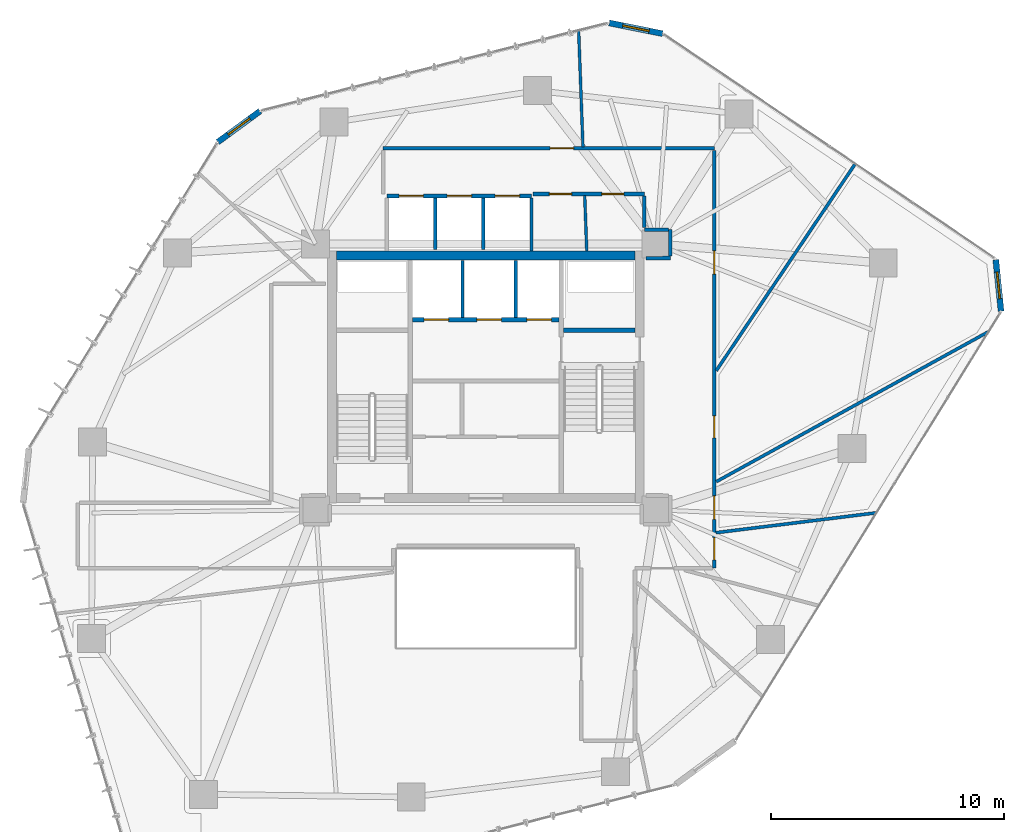
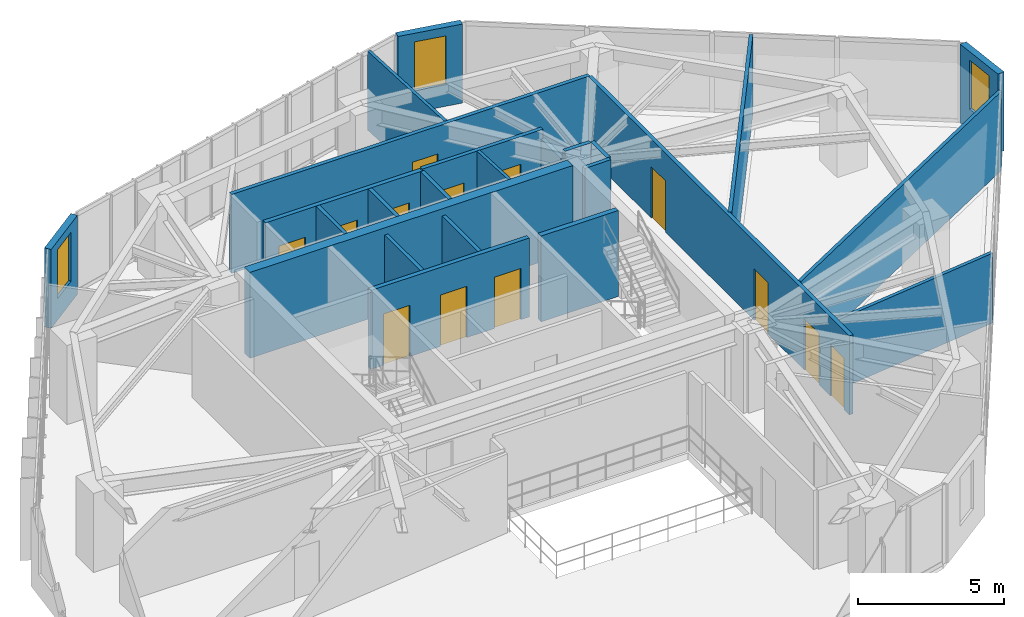
# One storey, part 17 of 20: 24 walls, 13 doors, 3 windows, 16 openings.
"""IFC4 building model written with IfcOpenShell, lengths in metres."""

from ifc_helpers import new_model, si_unit, direction, frame, frame_2d, origin, place, context, subcontext, project, spatial, rectangle, extrude, source, transform, mapped, material, layer, layer_set, type_object, type_shapes, element, fill, save


model = new_model("IFC4")

# Units and contexts
model_context = context("Model", 3, precision=1e-05, world=origin(), true_north=direction((0.0, 1.0)))
body_context = subcontext(model_context, "Body", "Model", "MODEL_VIEW")
ifc_project = project(units=[si_unit("LENGTHUNIT", "METRE"), si_unit("AREAUNIT", "SQUARE_METRE"), si_unit("VOLUMEUNIT", "CUBIC_METRE"), si_unit("PLANEANGLEUNIT", "RADIAN"), si_unit("MASSUNIT", "GRAM", prefix="KILO")], contexts=[model_context])

# Site, building, storey
site_placement = place(None, origin())
site = spatial("IfcSite", under=ifc_project, at=site_placement, CompositionType="ELEMENT")
building_placement = place(site_placement, origin())
building = spatial("IfcBuilding", under=site, at=building_placement, Name="Talar Marvaseh", CompositionType="ELEMENT")
storey_placement = place(building_placement, frame((0.0, 0.0, 132.60009765625)))
storey = spatial("IfcBuildingStorey", under=building, at=storey_placement, Name="L34", CompositionType="ELEMENT", Elevation=132.60009765625)

# Wall, opening, window
ifc_material_1 = material(Name="Precast concrete C45/55", Category="concrete")
ifc_layer_1 = layer(ifc_material_1, 0.2548828125)
ifc_layer_set_1 = layer_set([ifc_layer_1], Name="Precast concrete C45/55")
wall_type_1 = type_object("IfcWallType", Name="Chamfered Hexagonal Corner Pier Wall Z2 255", PredefinedType="SOLIDWALL", material=ifc_layer_set_1)
wall_1_placement = place(storey_placement, frame((14.511962890625, 41.269287109375, 0.0), z_axis=(0.0, 0.0, 1.0), x_axis=(0.806425737926, 0.591335377945, 0.0)))
wall_1 = element("IfcWall", 1, at=wall_1_placement, inside=storey, type_object=wall_type_1, Name="L34 Chamfered Corner Limestone Pier 3", PredefinedType="SOLIDWALL", context=body_context, shape_type="SweptSolid", body=[
    extrude(rectangle(XDim=2.2451171875, YDim=0.2548828125, at=frame_2d((1.12255859375, 0.0))), origin(), (0.0, 0.0, 1.0), 3.309814453125),
])
opening_1_placement = place(wall_1_placement, frame((0.548095703125, 0.0, 0.89990234375)))
opening_1 = element("IfcOpeningElement", 2, at=opening_1_placement, cuts=wall_1, Name="Opening WN-CHM11", PredefinedType="OPENING", context=body_context, shape_type="SweptSolid", body=[
    extrude(rectangle(XDim=1.14990234375, YDim=2.050048828125, at=frame_2d((0.574951171875, 1.02490234375))), frame((0.0, 0.137451171875, 0.0), z_axis=(0.0, -1.0, 0.0), x_axis=(1.0, 0.0, 0.0)), (0.0, 0.0, 1.0), 0.27490234375),
])
ifc_material_2 = material(Name="Laminated Low-E Solar Glass", Category="glass")
window_type = type_object("IfcWindowType", Name="Zone 2 Chamfered Corner Slot Window 1150x2050", PartitioningType="SINGLE_PANEL", PredefinedType="WINDOW", material=ifc_material_2)
shared_shape_1 = source(origin(), body_context, "Body", "SweptSolid", [
    extrude(rectangle(XDim=1.14990234375, YDim=2.050048828125, at=frame_2d((0.574951171875, 1.02490234375))), frame((0.0, 0.030029296875, 0.0), z_axis=(0.0, -1.0, 0.0), x_axis=(1.0, 0.0, 0.0)), (0.0, 0.0, 1.0), 0.06005859375),
])
type_shapes(window_type, [shared_shape_1])
window_1_placement = place(opening_1_placement, origin())
window_1 = element("IfcWindow", 3, at=window_1_placement, inside=storey, type_object=window_type, Name="L34 Chamfered Corner Slot Window", OverallHeight=2.050048828125, OverallWidth=1.14990234375, PartitioningType="SINGLE_PANEL", PredefinedType="WINDOW", context=body_context, shape_type="MappedRepresentation", body=[
    mapped(shared_shape_1, transform((0.0, 0.0, 0.0), x_axis=(1.0, 0.0, 0.0), y_axis=(0.0, 1.0, 0.0), z_axis=(0.0, 0.0, 1.0), scale=1.0)),
])
fill(opening_1, window_1)

wall_2_placement = place(storey_placement, frame((31.290771484375, 46.3779296875, 0.0), z_axis=(0.0, 0.0, 1.0), x_axis=(0.980359434236, -0.197219115972, 0.0)))
wall_2 = element("IfcWall", 4, at=wall_2_placement, inside=storey, type_object=wall_type_1, Name="L34 Chamfered Corner Limestone Pier 4", PredefinedType="SOLIDWALL", context=body_context, shape_type="SweptSolid", body=[
    extrude(rectangle(XDim=2.3408203125, YDim=0.2548828125, at=frame_2d((1.17041015625, 0.0))), origin(), (0.0, 0.0, 1.0), 3.309814453125),
])
opening_2_placement = place(wall_2_placement, frame((0.594970703125, 0.0, 0.89990234375)))
opening_2 = element("IfcOpeningElement", 5, at=opening_2_placement, cuts=wall_2, Name="Opening WN-CHM11", PredefinedType="OPENING", context=body_context, shape_type="SweptSolid", body=[
    extrude(rectangle(XDim=1.14990234375, YDim=2.050048828125, at=frame_2d((0.574951171875, 1.02490234375))), frame((0.0, 0.137451171875, 0.0), z_axis=(0.0, -1.0, 0.0), x_axis=(1.0, 0.0, 0.0)), (0.0, 0.0, 1.0), 0.27490234375),
])
window_2_placement = place(opening_2_placement, origin())
window_2 = element("IfcWindow", 6, at=window_2_placement, inside=storey, type_object=window_type, Name="L34 Chamfered Corner Slot Window", OverallHeight=2.050048828125, OverallWidth=1.14990234375, PartitioningType="SINGLE_PANEL", PredefinedType="WINDOW", context=body_context, shape_type="MappedRepresentation", body=[
    mapped(shared_shape_1, transform((0.0, 0.0, 0.0), x_axis=(1.0, 0.0, 0.0), y_axis=(0.0, 1.0, 0.0), z_axis=(0.0, 0.0, 1.0), scale=1.0)),
])
fill(opening_2, window_2)

wall_3_placement = place(storey_placement, frame((47.869873046875, 36.226318359375, 0.0), z_axis=(0.0, 0.0, 1.0), x_axis=(0.101433606586, -0.994842310849, 0.0)))
wall_3 = element("IfcWall", 7, at=wall_3_placement, inside=storey, type_object=wall_type_1, Name="L34 Chamfered Corner Limestone Pier 5", PredefinedType="SOLIDWALL", context=body_context, shape_type="SweptSolid", body=[
    extrude(rectangle(XDim=2.216796875, YDim=0.2548828125, at=frame_2d((1.1083984375, 0.0))), origin(), (0.0, 0.0, 1.0), 3.309814453125),
])
opening_3_placement = place(wall_3_placement, frame((0.532958984375, 0.0, 0.89990234375)))
opening_3 = element("IfcOpeningElement", 8, at=opening_3_placement, cuts=wall_3, Name="Opening WN-CHM11", PredefinedType="OPENING", context=body_context, shape_type="SweptSolid", body=[
    extrude(rectangle(XDim=1.14990234375, YDim=2.050048828125, at=frame_2d((0.574951171875, 1.02490234375))), frame((0.0, 0.137451171875, 0.0), z_axis=(0.0, -1.0, 0.0), x_axis=(1.0, 0.0, 0.0)), (0.0, 0.0, 1.0), 0.27490234375),
])
window_3_placement = place(opening_3_placement, origin())
window_3 = element("IfcWindow", 9, at=window_3_placement, inside=storey, type_object=window_type, Name="L34 Chamfered Corner Slot Window", OverallHeight=2.050048828125, OverallWidth=1.14990234375, PartitioningType="SINGLE_PANEL", PredefinedType="WINDOW", context=body_context, shape_type="MappedRepresentation", body=[
    mapped(shared_shape_1, transform((0.0, 0.0, 0.0), x_axis=(1.0, 0.0, 0.0), y_axis=(0.0, 1.0, 0.0), z_axis=(0.0, 0.0, 1.0), scale=1.0)),
])
fill(opening_3, window_3)

# Wall, openings, doors
ifc_material_3 = material(Name="Gypsum Board Partition Assembly")
ifc_layer_2 = layer(ifc_material_3, 0.155029296875)
ifc_layer_set_2 = layer_set([ifc_layer_2], Name="Gypsum Board Partition Assembly")
wall_type_2 = type_object("IfcWallType", Name="Corridor Fire-Rated Acoustic Partition 155", PredefinedType="PARTITIONING", material=ifc_layer_set_2)
wall_4_placement = place(storey_placement, frame((32.800048828125, 39.0400390625, 0.0), z_axis=(0.0, 0.0, 1.0), x_axis=(-1.0, 0.0, 0.0)))
wall_4 = element("IfcWall", 10, at=wall_4_placement, inside=storey, type_object=wall_type_2, Name="L34 Interior Partition Wall", PredefinedType="PARTITIONING", context=body_context, shape_type="SweptSolid", body=[
    extrude(rectangle(XDim=4.77001953125, YDim=0.155029296875, at=frame_2d((2.385009765625, 0.0))), origin(), (0.0, 0.0, 1.0), 3.309814453125),
])
opening_4_placement = place(wall_4_placement, frame((0.874267578125, 0.0, 0.0)))
opening_4 = element("IfcOpeningElement", 11, at=opening_4_placement, cuts=wall_4, Name="Opening DR-WC095", PredefinedType="OPENING", context=body_context, shape_type="SweptSolid", body=[
    extrude(rectangle(XDim=0.949951171875, YDim=2.14990234375, at=frame_2d((0.47509765625, 1.074951171875))), frame((0.0, 0.08740234375, 0.0), z_axis=(0.0, -1.0, 0.0), x_axis=(1.0, 0.0, 0.0)), (0.0, 0.0, 1.0), 0.175048828125),
])
opening_5_placement = place(wall_4_placement, frame((3.119384765625, 0.0, 0.0)))
opening_5 = element("IfcOpeningElement", 12, at=opening_5_placement, cuts=wall_4, Name="Opening DR-WC095", PredefinedType="OPENING", context=body_context, shape_type="SweptSolid", body=[
    extrude(rectangle(XDim=0.949951171875, YDim=2.14990234375, at=frame_2d((0.47509765625, 1.074951171875))), frame((0.0, 0.08740234375, 0.0), z_axis=(0.0, -1.0, 0.0), x_axis=(1.0, 0.0, 0.0)), (0.0, 0.0, 1.0), 0.175048828125),
])
ifc_material_4 = material(Name="Acoustic Engineered Oak Timber", Category="wood")
door_type_1 = type_object("IfcDoorType", Name="Washroom and Service Room Door 950x2150", OperationType="NOTDEFINED", PredefinedType="DOOR", material=ifc_material_4)
shared_shape_2 = source(origin(), body_context, "Body", "SweptSolid", [
    extrude(rectangle(XDim=0.949951171875, YDim=2.14990234375, at=frame_2d((0.47509765625, 1.074951171875))), frame((0.0, 0.02490234375, 0.0), z_axis=(0.0, -1.0, 0.0), x_axis=(1.0, 0.0, 0.0)), (0.0, 0.0, 1.0), 0.050048828125),
])
type_shapes(door_type_1, [shared_shape_2])
door_1_placement = place(opening_4_placement, origin())
door_1 = element("IfcDoor", 13, at=door_1_placement, inside=storey, type_object=door_type_1, Name="L34 Accessible WC Door", OperationType="SINGLE_SWING_RIGHT", OverallHeight=2.14990234375, OverallWidth=0.949951171875, PredefinedType="DOOR", context=body_context, shape_type="MappedRepresentation", body=[
    mapped(shared_shape_2, transform((0.0, 0.0, 0.0), x_axis=(1.0, 0.0, 0.0), y_axis=(0.0, 1.0, 0.0), z_axis=(0.0, 0.0, 1.0), scale=1.0)),
])
fill(opening_4, door_1)
door_2_placement = place(opening_5_placement, origin())
door_2 = element("IfcDoor", 14, at=door_2_placement, inside=storey, type_object=door_type_1, Name="L34 WC Public Washrooms Door", OperationType="SINGLE_SWING_LEFT", OverallHeight=2.14990234375, OverallWidth=0.949951171875, PredefinedType="DOOR", context=body_context, shape_type="MappedRepresentation", body=[
    mapped(shared_shape_2, transform((0.0, 0.0, 0.0), x_axis=(1.0, 0.0, 0.0), y_axis=(0.0, 1.0, 0.0), z_axis=(0.0, 0.0, 1.0), scale=1.0)),
])
fill(opening_5, door_2)

# Wall, opening, door
wall_5_placement = place(storey_placement, frame((21.60009765625, 41.0, 0.0), z_axis=(0.0, 0.0, 1.0), x_axis=(1.0, 0.0, 0.0)))
wall_5 = element("IfcWall", 15, at=wall_5_placement, inside=storey, type_object=wall_type_2, Name="L34 Interior Partition Wall", PredefinedType="PARTITIONING", context=body_context, shape_type="SweptSolid", body=[
    extrude(rectangle(XDim=14.199951171875, YDim=0.155029296875, at=frame_2d((7.10009765625, 0.0))), origin(), (0.0, 0.0, 1.0), 3.309814453125),
])
opening_6_placement = place(wall_5_placement, frame((7.163818359375, 0.0, 0.0)))
opening_6 = element("IfcOpeningElement", 16, at=opening_6_placement, cuts=wall_5, Name="Opening DR-RM100", PredefinedType="OPENING", context=body_context, shape_type="SweptSolid", body=[
    extrude(rectangle(XDim=1.0, YDim=2.14990234375, at=frame_2d((0.5, 1.074951171875))), frame((0.0, 0.08740234375, 0.0), z_axis=(0.0, -1.0, 0.0), x_axis=(1.0, 0.0, 0.0)), (0.0, 0.0, 1.0), 0.175048828125),
])
door_type_2 = type_object("IfcDoorType", Name="Corridor Fire-Rated Gallery Door 1000x2150", OperationType="NOTDEFINED", PredefinedType="DOOR", material=ifc_material_4)
shared_shape_3 = source(origin(), body_context, "Body", "SweptSolid", [
    extrude(rectangle(XDim=1.0, YDim=2.14990234375, at=frame_2d((0.5, 1.074951171875))), frame((0.0, 0.02490234375, 0.0), z_axis=(0.0, -1.0, 0.0), x_axis=(1.0, 0.0, 0.0)), (0.0, 0.0, 1.0), 0.050048828125),
])
type_shapes(door_type_2, [shared_shape_3])
door_3_placement = place(opening_6_placement, origin())
door_3 = element("IfcDoor", 17, at=door_3_placement, inside=storey, type_object=door_type_2, Name="L34 Quiet Research Study Door", OperationType="SINGLE_SWING_RIGHT", OverallHeight=2.14990234375, OverallWidth=1.0, PredefinedType="DOOR", context=body_context, shape_type="MappedRepresentation", body=[
    mapped(shared_shape_3, transform((0.0, 0.0, 0.0), x_axis=(1.0, 0.0, 0.0), y_axis=(0.0, 1.0, 0.0), z_axis=(0.0, 0.0, 1.0), scale=1.0)),
])
fill(opening_6, door_3)

# Wall, openings, doors
wall_6_placement = place(storey_placement, frame((35.800048828125, 40.91650390625, 0.0), z_axis=(0.0, 0.0, 1.0), x_axis=(0.0, -1.0, 0.0)))
wall_6 = element("IfcWall", 18, at=wall_6_placement, inside=storey, type_object=wall_type_2, Name="L34 Interior Partition Wall", PredefinedType="PARTITIONING", context=body_context, shape_type="SweptSolid", body=[
    extrude(rectangle(XDim=17.91650390625, YDim=0.155029296875, at=frame_2d((8.958251953125, 0.0))), origin(), (0.0, 0.0, 1.0), 3.309814453125),
])
opening_7_placement = place(wall_6_placement, frame((16.614013671875, 0.0, 0.0)))
opening_7 = element("IfcOpeningElement", 19, at=opening_7_placement, cuts=wall_6, Name="Opening DR-WC095", PredefinedType="OPENING", context=body_context, shape_type="SweptSolid", body=[
    extrude(rectangle(XDim=0.949951171875, YDim=2.14990234375, at=frame_2d((0.47509765625, 1.074951171875))), frame((0.0, 0.08740234375, 0.0), z_axis=(0.0, -1.0, 0.0), x_axis=(1.0, 0.0, 0.0)), (0.0, 0.0, 1.0), 0.175048828125),
])
opening_8_placement = place(wall_6_placement, frame((14.822021484375, 0.0, 0.0)))
opening_8 = element("IfcOpeningElement", 20, at=opening_8_placement, cuts=wall_6, Name="Opening DR-RM100", PredefinedType="OPENING", context=body_context, shape_type="SweptSolid", body=[
    extrude(rectangle(XDim=1.0, YDim=2.14990234375, at=frame_2d((0.5, 1.074951171875))), frame((0.0, 0.08740234375, 0.0), z_axis=(0.0, -1.0, 0.0), x_axis=(1.0, 0.0, 0.0)), (0.0, 0.0, 1.0), 0.175048828125),
])
opening_9_placement = place(wall_6_placement, frame((11.385986328125, 0.0, 0.0)))
opening_9 = element("IfcOpeningElement", 21, at=opening_9_placement, cuts=wall_6, Name="Opening DR-WC095", PredefinedType="OPENING", context=body_context, shape_type="SweptSolid", body=[
    extrude(rectangle(XDim=0.949951171875, YDim=2.14990234375, at=frame_2d((0.47509765625, 1.074951171875))), frame((0.0, 0.08740234375, 0.0), z_axis=(0.0, -1.0, 0.0), x_axis=(1.0, 0.0, 0.0)), (0.0, 0.0, 1.0), 0.175048828125),
])
opening_10_placement = place(wall_6_placement, frame((4.314208984375, 0.0, 0.0)))
opening_10 = element("IfcOpeningElement", 22, at=opening_10_placement, cuts=wall_6, Name="Opening DR-RM100", PredefinedType="OPENING", context=body_context, shape_type="SweptSolid", body=[
    extrude(rectangle(XDim=1.0, YDim=2.14990234375, at=frame_2d((0.5, 1.074951171875))), frame((0.0, 0.08740234375, 0.0), z_axis=(0.0, -1.0, 0.0), x_axis=(1.0, 0.0, 0.0)), (0.0, 0.0, 1.0), 0.175048828125),
])
door_4_placement = place(opening_7_placement, origin())
door_4 = element("IfcDoor", 23, at=door_4_placement, inside=storey, type_object=door_type_1, Name="L34 Collection Conservation Store Door", OperationType="SINGLE_SWING_RIGHT", OverallHeight=2.14990234375, OverallWidth=0.949951171875, PredefinedType="DOOR", context=body_context, shape_type="MappedRepresentation", body=[
    mapped(shared_shape_2, transform((0.0, 0.0, 0.0), x_axis=(1.0, 0.0, 0.0), y_axis=(0.0, 1.0, 0.0), z_axis=(0.0, 0.0, 1.0), scale=1.0)),
])
fill(opening_7, door_4)
door_5_placement = place(opening_9_placement, origin())
door_5 = element("IfcDoor", 24, at=door_5_placement, inside=storey, type_object=door_type_1, Name="L34 Manuscript Folio Archive Room Door", OperationType="SINGLE_SWING_RIGHT", OverallHeight=2.14990234375, OverallWidth=0.949951171875, PredefinedType="DOOR", context=body_context, shape_type="MappedRepresentation", body=[
    mapped(shared_shape_2, transform((0.0, 0.0, 0.0), x_axis=(1.0, 0.0, 0.0), y_axis=(0.0, 1.0, 0.0), z_axis=(0.0, 0.0, 1.0), scale=1.0)),
])
fill(opening_9, door_5)
door_6_placement = place(opening_8_placement, origin())
door_6 = element("IfcDoor", 25, at=door_6_placement, inside=storey, type_object=door_type_2, Name="L34 Cultural Fellowship Office Door", OperationType="SINGLE_SWING_LEFT", OverallHeight=2.14990234375, OverallWidth=1.0, PredefinedType="DOOR", context=body_context, shape_type="MappedRepresentation", body=[
    mapped(shared_shape_3, transform((0.0, 0.0, 0.0), x_axis=(1.0, 0.0, 0.0), y_axis=(0.0, 1.0, 0.0), z_axis=(0.0, 0.0, 1.0), scale=1.0)),
])
fill(opening_8, door_6)
door_7_placement = place(opening_10_placement, origin())
door_7 = element("IfcDoor", 26, at=door_7_placement, inside=storey, type_object=door_type_2, Name="L34 Conservation Laboratory Door", OperationType="SINGLE_SWING_LEFT", OverallHeight=2.14990234375, OverallWidth=1.0, PredefinedType="DOOR", context=body_context, shape_type="MappedRepresentation", body=[
    mapped(shared_shape_3, transform((0.0, 0.0, 0.0), x_axis=(1.0, 0.0, 0.0), y_axis=(0.0, 1.0, 0.0), z_axis=(0.0, 0.0, 1.0), scale=1.0)),
])
fill(opening_10, door_7)

# Walls
wall_7_placement = place(storey_placement, frame((32.8701171875, 36.284912109375, 0.0), z_axis=(0.0, 0.0, 1.0), x_axis=(0.999895094683, 0.014484461652, 0.0)))
element("IfcWall", 27, at=wall_7_placement, inside=storey, type_object=wall_type_2, Name="L34 Interior Partition Wall", PredefinedType="PARTITIONING", context=body_context, shape_type="SweptSolid", body=[
    extrude(rectangle(XDim=1.044921875, YDim=0.155029296875, at=frame_2d((0.5224609375, 0.0))), origin(), (0.0, 0.0, 1.0), 3.309814453125),
])
wall_8_placement = place(storey_placement, frame((33.914794921875, 36.383544921875, 0.0), z_axis=(0.0, 0.0, 1.0), x_axis=(-0.003682817312, 0.999993218405, 0.0)))
element("IfcWall", 28, at=wall_8_placement, inside=storey, type_object=wall_type_2, Name="L34 Interior Partition Wall", PredefinedType="PARTITIONING", context=body_context, shape_type="SweptSolid", body=[
    extrude(rectangle(XDim=1.126953125, YDim=0.155029296875, at=frame_2d((0.5634765625, 0.0))), origin(), (0.0, 0.0, 1.0), 3.309814453125),
])
wall_9_placement = place(storey_placement, frame((33.8271484375, 37.510986328125, 0.0), z_axis=(0.0, 0.0, 1.0), x_axis=(-0.99999276797, 0.003803157663, 0.0)))
element("IfcWall", 29, at=wall_9_placement, inside=storey, type_object=wall_type_2, Name="L34 Interior Partition Wall", PredefinedType="PARTITIONING", context=body_context, shape_type="SweptSolid", body=[
    extrude(rectangle(XDim=1.027099609375, YDim=0.155029296875, at=frame_2d((0.513671875, 0.0))), origin(), (0.0, 0.0, 1.0), 3.309814453125),
])
wall_10_placement = place(storey_placement, frame((32.800048828125, 37.598388671875, 0.0), z_axis=(0.0, 0.0, 1.0), x_axis=(0.0, 1.0, 0.0)))
element("IfcWall", 30, at=wall_10_placement, inside=storey, type_object=wall_type_2, Name="L34 Interior Partition Wall", PredefinedType="PARTITIONING", context=body_context, shape_type="SweptSolid", body=[
    extrude(rectangle(XDim=1.358154296875, YDim=0.155029296875, at=frame_2d((0.67919921875, 0.0))), origin(), (0.0, 0.0, 1.0), 2.927001953125),
])
ifc_layer_3 = layer(ifc_material_3, 0.1201171875)
ifc_layer_set_3 = layer_set([ifc_layer_3], Name="Gypsum Board Partition Assembly")
wall_type_3 = type_object("IfcWallType", Name="Demountable Studio Room Partition 120", PredefinedType="PARTITIONING", material=ifc_layer_set_3)
wall_11_placement = place(storey_placement, frame((30.16748046875, 41.06494140625, 0.0), z_axis=(0.0, 0.0, 1.0), x_axis=(-0.037060745316, 0.999313014604, 0.0)))
element("IfcWall", 31, at=wall_11_placement, inside=storey, type_object=wall_type_3, Name="L34 Interior Partition Wall", PredefinedType="PARTITIONING", context=body_context, shape_type="SweptSolid", body=[
    extrude(rectangle(XDim=4.967041015625, YDim=0.1201171875, at=frame_2d((2.4833984375, 0.0))), origin(), (0.0, 0.0, 1.0), 3.309814453125),
])
wall_12_placement = place(storey_placement, frame((30.330078125, 36.60009765625, 0.0), z_axis=(0.0, 0.0, 1.0), x_axis=(-0.036878679102, 0.999319750144, 0.0)))
element("IfcWall", 32, at=wall_12_placement, inside=storey, type_object=wall_type_3, Name="L34 Interior Partition Wall", PredefinedType="PARTITIONING", context=body_context, shape_type="SweptSolid", body=[
    extrude(rectangle(XDim=2.376708984375, YDim=0.1201171875, at=frame_2d((1.1884765625, 0.0))), origin(), (0.0, 0.0, 1.0), 3.309814453125),
])
ifc_layer_4 = layer(ifc_material_1, 0.14501953125)
ifc_layer_set_4 = layer_set([ifc_layer_4], Name="Precast concrete C45/55")
wall_type_4 = type_object("IfcWallType", Name="Fire-Rated Lift Divider Wall 145", PredefinedType="SOLIDWALL", material=ifc_layer_set_4)
for number, where, z_axis, x_axis, name in (
    (33, (25.0, 33.743408203125, 0.0), (0.0, 0.0, 1.0), (0.0, 1.0, 0.0), "L34 FFL-1/FFL-2 Divider"),
    (34, (27.280029296875, 33.743408203125, 0.0), (0.0, 0.0, 1.0), (0.0, 1.0, 0.0), "L34 FFL-2/SVL-1 Divider"),
):
    element("IfcWall", number, at=place(storey_placement, frame(where, z_axis=z_axis, x_axis=x_axis)), inside=storey, type_object=wall_type_4, Name=name, PredefinedType="SOLIDWALL", context=body_context, shape_type="SweptSolid", body=[
        extrude(rectangle(XDim=2.45654296875, YDim=0.14501953125, at=frame_2d((1.228271484375, 0.0))), origin(), (0.0, 0.0, 1.0), 3.309814453125),
    ])
wall_13_placement = place(storey_placement, frame((27.9599609375, 36.60009765625, 0.0), z_axis=(0.0, 0.0, 1.0), x_axis=(0.0, 1.0, 0.0)))
element("IfcWall", 35, at=wall_13_placement, inside=storey, type_object=wall_type_4, Name="L34 Low-Rise Bank East Wall", PredefinedType="SOLIDWALL", context=body_context, shape_type="SweptSolid", body=[
    extrude(rectangle(XDim=2.266357421875, YDim=0.14501953125, at=frame_2d((1.13330078125, 0.0))), origin(), (0.0, 0.0, 1.0), 3.309814453125),
])
for number, where, z_axis, x_axis, name in (
    (36, (23.830078125, 36.659912109375, 0.0), (0.0, 0.0, 1.0), (0.0, 1.0, 0.0), "L34 PL-L1/PL-L2 Divider"),
    (37, (25.889892578125, 36.659912109375, 0.0), (0.0, 0.0, 1.0), (0.0, 1.0, 0.0), "L34 PL-L2/PL-L3 Divider"),
):
    element("IfcWall", number, at=place(storey_placement, frame(where, z_axis=z_axis, x_axis=x_axis)), inside=storey, type_object=wall_type_4, Name=name, PredefinedType="SOLIDWALL", context=body_context, shape_type="SweptSolid", body=[
        extrude(rectangle(XDim=2.20654296875, YDim=0.14501953125, at=frame_2d((1.103271484375, 0.0))), origin(), (0.0, 0.0, 1.0), 3.309814453125),
    ])

# Wall, openings, doors
ifc_layer_5 = layer(ifc_material_1, 0.175048828125)
ifc_layer_set_5 = layer_set([ifc_layer_5], Name="Precast concrete C45/55")
wall_type_5 = type_object("IfcWallType", Name="Fire-Rated Lift Hoistway Enclosure Wall 175", PredefinedType="SOLIDWALL", material=ifc_layer_set_5)
wall_14_placement = place(storey_placement, frame((22.860107421875, 33.64990234375, 0.0), z_axis=(0.0, 0.0, 1.0), x_axis=(1.0, 0.0, 0.0)))
wall_14 = element("IfcWall", 38, at=wall_14_placement, inside=storey, type_object=wall_type_5, Name="L34 Firefighting and Service Lift Front Wall", PredefinedType="SOLIDWALL", context=body_context, shape_type="SweptSolid", body=[
    extrude(rectangle(XDim=6.27978515625, YDim=0.175048828125, at=frame_2d((3.139892578125, 0.0))), origin(), (0.0, 0.0, 1.0), 3.309814453125),
])
opening_11_placement = place(wall_14_placement, frame((0.5, 0.0, 0.0)))
opening_11 = element("IfcOpeningElement", 39, at=opening_11_placement, cuts=wall_14, Name="Opening LD-FF1", PredefinedType="OPENING", context=body_context, shape_type="SweptSolid", body=[
    extrude(rectangle(XDim=1.050048828125, YDim=2.14990234375, at=frame_2d((0.52490234375, 1.074951171875))), frame((0.0, 0.09765625, 0.0), z_axis=(0.0, -1.0, 0.0), x_axis=(1.0, 0.0, 0.0)), (0.0, 0.0, 1.0), 0.195068359375),
])
opening_12_placement = place(wall_14_placement, frame((2.760009765625, 0.0, 0.0)))
opening_12 = element("IfcOpeningElement", 40, at=opening_12_placement, cuts=wall_14, Name="Opening LD-FF2", PredefinedType="OPENING", context=body_context, shape_type="SweptSolid", body=[
    extrude(rectangle(XDim=1.050048828125, YDim=2.14990234375, at=frame_2d((0.52490234375, 1.074951171875))), frame((0.0, 0.09765625, 0.0), z_axis=(0.0, -1.0, 0.0), x_axis=(1.0, 0.0, 0.0)), (0.0, 0.0, 1.0), 0.195068359375),
])
opening_13_placement = place(wall_14_placement, frame((4.89990234375, 0.0, 0.0)))
opening_13 = element("IfcOpeningElement", 41, at=opening_13_placement, cuts=wall_14, Name="Opening LD-SV1", PredefinedType="OPENING", context=body_context, shape_type="SweptSolid", body=[
    extrude(rectangle(XDim=1.050048828125, YDim=2.14990234375, at=frame_2d((0.52490234375, 1.074951171875))), frame((0.0, 0.09765625, 0.0), z_axis=(0.0, -1.0, 0.0), x_axis=(1.0, 0.0, 0.0)), (0.0, 0.0, 1.0), 0.195068359375),
])
ifc_material_5 = material(Name="Stainless Steel Grade 316", Category="steel")
door_type_3 = type_object("IfcDoorType", Name="Automatic Sliding Lift Landing Door 1050x2150", OperationType="NOTDEFINED", PredefinedType="DOOR", material=ifc_material_5)
shared_shape_4 = source(origin(), body_context, "Body", "SweptSolid", [
    extrude(rectangle(XDim=1.050048828125, YDim=2.14990234375, at=frame_2d((0.52490234375, 1.074951171875))), frame((0.0, 0.02490234375, 0.0), z_axis=(0.0, -1.0, 0.0), x_axis=(1.0, 0.0, 0.0)), (0.0, 0.0, 1.0), 0.050048828125),
])
type_shapes(door_type_3, [shared_shape_4])
door_8_placement = place(opening_11_placement, origin())
door_8 = element("IfcDoor", 42, at=door_8_placement, inside=storey, type_object=door_type_3, Name="L34 Lift FFL-1 Sliding Landing Door", OperationType="SLIDING_TO_LEFT", OverallHeight=2.14990234375, OverallWidth=1.050048828125, PredefinedType="DOOR", context=body_context, shape_type="MappedRepresentation", body=[
    mapped(shared_shape_4, transform((0.0, 0.0, 0.0), x_axis=(1.0, 0.0, 0.0), y_axis=(0.0, 1.0, 0.0), z_axis=(0.0, 0.0, 1.0), scale=1.0)),
])
fill(opening_11, door_8)
door_9_placement = place(opening_12_placement, origin())
door_9 = element("IfcDoor", 43, at=door_9_placement, inside=storey, type_object=door_type_3, Name="L34 Lift FFL-2 Sliding Landing Door", OperationType="SLIDING_TO_LEFT", OverallHeight=2.14990234375, OverallWidth=1.050048828125, PredefinedType="DOOR", context=body_context, shape_type="MappedRepresentation", body=[
    mapped(shared_shape_4, transform((0.0, 0.0, 0.0), x_axis=(1.0, 0.0, 0.0), y_axis=(0.0, 1.0, 0.0), z_axis=(0.0, 0.0, 1.0), scale=1.0)),
])
fill(opening_12, door_9)
door_10_placement = place(opening_13_placement, origin())
door_10 = element("IfcDoor", 44, at=door_10_placement, inside=storey, type_object=door_type_3, Name="L34 Lift SVL-1 Sliding Landing Door", OperationType="SLIDING_TO_LEFT", OverallHeight=2.14990234375, OverallWidth=1.050048828125, PredefinedType="DOOR", context=body_context, shape_type="MappedRepresentation", body=[
    mapped(shared_shape_4, transform((0.0, 0.0, 0.0), x_axis=(1.0, 0.0, 0.0), y_axis=(0.0, 1.0, 0.0), z_axis=(0.0, 0.0, 1.0), scale=1.0)),
])
fill(opening_13, door_10)

wall_15_placement = place(storey_placement, frame((21.760009765625, 38.9599609375, 0.0), z_axis=(0.0, 0.0, 1.0), x_axis=(1.0, 0.0, 0.0)))
wall_15 = element("IfcWall", 45, at=wall_15_placement, inside=storey, type_object=wall_type_5, Name="L34 Low-Rise Lift Bank Front Wall", PredefinedType="SOLIDWALL", context=body_context, shape_type="SweptSolid", body=[
    extrude(rectangle(XDim=6.199951171875, YDim=0.175048828125, at=frame_2d((3.10009765625, 0.0))), origin(), (0.0, 0.0, 1.0), 3.309814453125),
])
opening_14_placement = place(wall_15_placement, frame((0.52001953125, 0.0, 0.0)))
opening_14 = element("IfcOpeningElement", 46, at=opening_14_placement, cuts=wall_15, Name="Opening LD-PLL1", PredefinedType="OPENING", context=body_context, shape_type="SweptSolid", body=[
    extrude(rectangle(XDim=1.050048828125, YDim=2.14990234375, at=frame_2d((0.52490234375, 1.074951171875))), frame((0.0, 0.09765625, 0.0), z_axis=(0.0, -1.0, 0.0), x_axis=(1.0, 0.0, 0.0)), (0.0, 0.0, 1.0), 0.195068359375),
])
opening_15_placement = place(wall_15_placement, frame((2.580078125, 0.0, 0.0)))
opening_15 = element("IfcOpeningElement", 47, at=opening_15_placement, cuts=wall_15, Name="Opening LD-PLL2", PredefinedType="OPENING", context=body_context, shape_type="SweptSolid", body=[
    extrude(rectangle(XDim=1.050048828125, YDim=2.14990234375, at=frame_2d((0.52490234375, 1.074951171875))), frame((0.0, 0.09765625, 0.0), z_axis=(0.0, -1.0, 0.0), x_axis=(1.0, 0.0, 0.0)), (0.0, 0.0, 1.0), 0.195068359375),
])
opening_16_placement = place(wall_15_placement, frame((4.639892578125, 0.0, 0.0)))
opening_16 = element("IfcOpeningElement", 48, at=opening_16_placement, cuts=wall_15, Name="Opening LD-PLL3", PredefinedType="OPENING", context=body_context, shape_type="SweptSolid", body=[
    extrude(rectangle(XDim=1.050048828125, YDim=2.14990234375, at=frame_2d((0.52490234375, 1.074951171875))), frame((0.0, 0.09765625, 0.0), z_axis=(0.0, -1.0, 0.0), x_axis=(1.0, 0.0, 0.0)), (0.0, 0.0, 1.0), 0.195068359375),
])
door_11_placement = place(opening_14_placement, origin())
door_11 = element("IfcDoor", 49, at=door_11_placement, inside=storey, type_object=door_type_3, Name="L34 Lift PL-L1 Sliding Landing Door", OperationType="SLIDING_TO_LEFT", OverallHeight=2.14990234375, OverallWidth=1.050048828125, PredefinedType="DOOR", context=body_context, shape_type="MappedRepresentation", body=[
    mapped(shared_shape_4, transform((0.0, 0.0, 0.0), x_axis=(1.0, 0.0, 0.0), y_axis=(0.0, 1.0, 0.0), z_axis=(0.0, 0.0, 1.0), scale=1.0)),
])
fill(opening_14, door_11)
door_12_placement = place(opening_15_placement, origin())
door_12 = element("IfcDoor", 50, at=door_12_placement, inside=storey, type_object=door_type_3, Name="L34 Lift PL-L2 Sliding Landing Door", OperationType="SLIDING_TO_LEFT", OverallHeight=2.14990234375, OverallWidth=1.050048828125, PredefinedType="DOOR", context=body_context, shape_type="MappedRepresentation", body=[
    mapped(shared_shape_4, transform((0.0, 0.0, 0.0), x_axis=(1.0, 0.0, 0.0), y_axis=(0.0, 1.0, 0.0), z_axis=(0.0, 0.0, 1.0), scale=1.0)),
])
fill(opening_15, door_12)
door_13_placement = place(opening_16_placement, origin())
door_13 = element("IfcDoor", 51, at=door_13_placement, inside=storey, type_object=door_type_3, Name="L34 Lift PL-L3 Sliding Landing Door", OperationType="SLIDING_TO_LEFT", OverallHeight=2.14990234375, OverallWidth=1.050048828125, PredefinedType="DOOR", context=body_context, shape_type="MappedRepresentation", body=[
    mapped(shared_shape_4, transform((0.0, 0.0, 0.0), x_axis=(1.0, 0.0, 0.0), y_axis=(0.0, 1.0, 0.0), z_axis=(0.0, 0.0, 1.0), scale=1.0)),
])
fill(opening_16, door_13)

# Walls
ifc_layer_6 = layer(ifc_material_3, 0.135009765625)
ifc_layer_set_6 = layer_set([ifc_layer_6], Name="Gypsum Board Partition Assembly")
wall_type_6 = type_object("IfcWallType", Name="Gallery High-Acoustic Partition 135", PredefinedType="PARTITIONING", material=ifc_layer_set_6)
wall_16_placement = place(storey_placement, frame((35.864501953125, 24.51806640625, 0.0), z_axis=(0.0, 0.0, 1.0), x_axis=(0.992417316989, 0.12291407137, 0.0)))
element("IfcWall", 52, at=wall_16_placement, inside=storey, type_object=wall_type_6, Name="L34 Interior Partition Wall", PredefinedType="PARTITIONING", context=body_context, shape_type="SweptSolid", body=[
    extrude(rectangle(XDim=6.918212890625, YDim=0.135009765625, at=frame_2d((3.458984375, 0.0))), origin(), (0.0, 0.0, 1.0), 2.927001953125),
])
wall_17_placement = place(storey_placement, frame((35.883544921875, 26.7060546875, 0.0), z_axis=(0.0, 0.0, 1.0), x_axis=(0.8758923611, 0.482506551009, 0.0)))
element("IfcWall", 53, at=wall_17_placement, inside=storey, type_object=wall_type_6, Name="L34 Interior Partition Wall", PredefinedType="PARTITIONING", context=body_context, shape_type="SweptSolid", body=[
    extrude(rectangle(XDim=13.31103515625, YDim=0.135009765625, at=frame_2d((6.655517578125, 0.0))), origin(), (0.0, 0.0, 1.0), 3.309814453125),
])
wall_18_placement = place(storey_placement, frame((35.883544921875, 31.46435546875, 0.0), z_axis=(0.0, 0.0, 1.0), x_axis=(0.557514248951, 0.830167370002, 0.0)))
element("IfcWall", 54, at=wall_18_placement, inside=storey, type_object=wall_type_6, Name="L34 Interior Partition Wall", PredefinedType="PARTITIONING", context=body_context, shape_type="SweptSolid", body=[
    extrude(rectangle(XDim=10.6591796875, YDim=0.135009765625, at=frame_2d((5.32958984375, 0.0))), origin(), (0.0, 0.0, 1.0), 3.309814453125),
])
ifc_material_6 = material(Name="Concrete C60/75", Category="concrete")
ifc_layer_7 = layer(ifc_material_6, 0.3798828125)
ifc_layer_set_7 = layer_set([ifc_layer_7], Name="Concrete C60/75")
wall_type_7 = type_object("IfcWallType", Name="Mid Core Reinforced Concrete Shear Wall 380", PredefinedType="SHEAR", material=ifc_layer_set_7)
wall_19_placement = place(storey_placement, frame((19.60009765625, 36.39990234375, 0.0), z_axis=(0.0, 0.0, 1.0), x_axis=(1.0, 0.0, 0.0)))
element("IfcWall", 55, at=wall_19_placement, inside=storey, type_object=wall_type_7, Name="L34 North Core Shear Wall", PredefinedType="SHEAR", context=body_context, shape_type="SweptSolid", body=[
    extrude(rectangle(XDim=12.7998046875, YDim=0.3798828125, at=frame_2d((6.39990234375, 0.0))), origin(), (0.0, 0.0, 1.0), 3.599853515625),
])
ifc_material_7 = material(Name="Concrete C50/60", Category="concrete")
ifc_layer_8 = layer(ifc_material_7, 0.199951171875)
ifc_layer_set_8 = layer_set([ifc_layer_8], Name="Concrete C50/60")
wall_type_8 = type_object("IfcWallType", Name="Stair Shaft Structural Concrete Shear Wall 200", PredefinedType="SHEAR", material=ifc_layer_set_8)
wall_20_placement = place(storey_placement, frame((29.340087890625, 33.199951171875, 0.0), z_axis=(0.0, 0.0, 1.0), x_axis=(1.0, 0.0, 0.0)))
element("IfcWall", 56, at=wall_20_placement, inside=storey, type_object=wall_type_8, Name="L34 Stair ST-2 North Shear Wall", PredefinedType="SHEAR", context=body_context, shape_type="SweptSolid", body=[
    extrude(rectangle(XDim=3.059814453125, YDim=0.199951171875, at=frame_2d((1.52978515625, 0.0))), origin(), (0.0, 0.0, 1.0), 3.599853515625),
])

save(model, "model.ifc")
